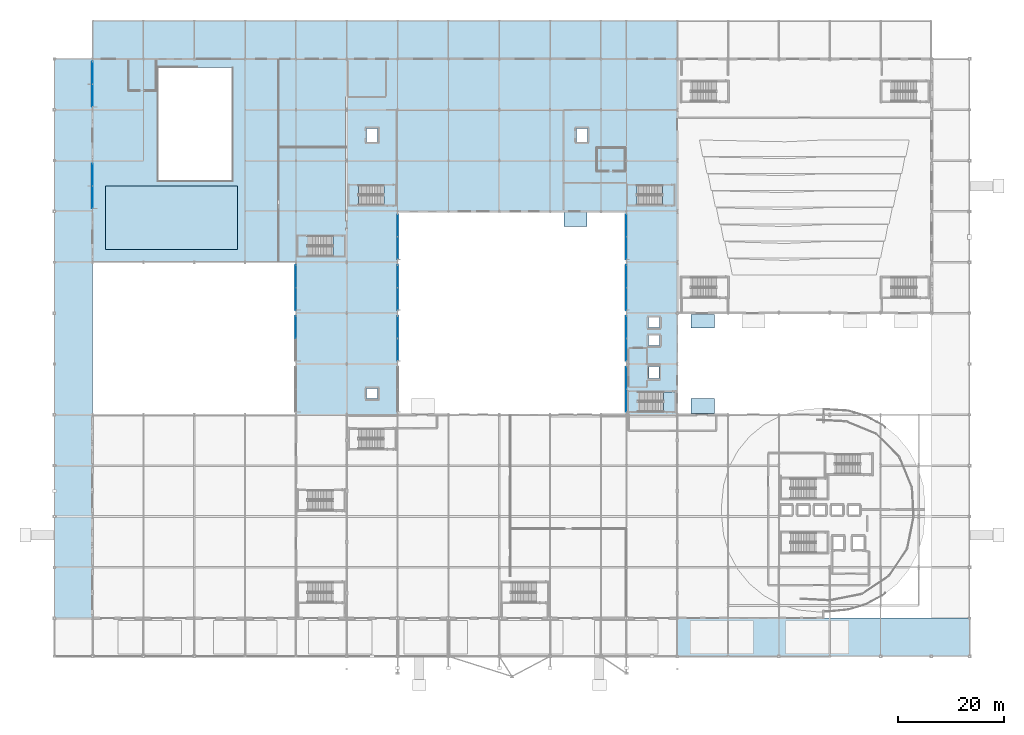
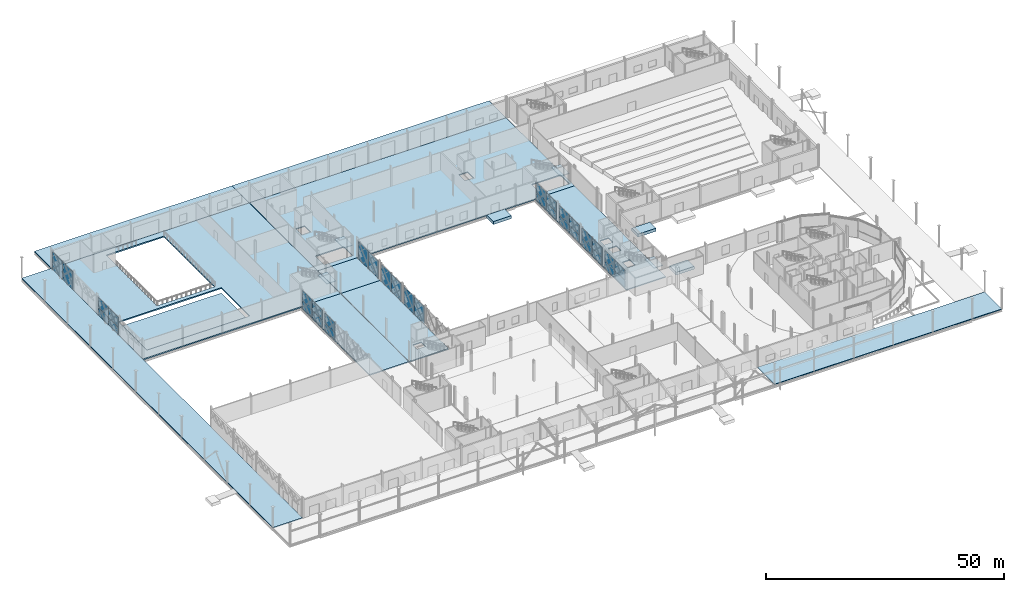
# One storey, part 46 of 84: 34 plates, 18 slabs, 15 elements without a shape of their own.
"""IFC4 building model written with IfcOpenShell, lengths in metres."""

from ifc_helpers import new_model, si_unit, direction, frame, origin, origin_2d, place, context, subcontext, project, spatial, polyline, rectangle, outline, extrude, material, layer, layer_set, type_object, element, aggregate, save


model = new_model("IFC4")

# Units and contexts
model_context = context("Model", 3, precision=1e-05, world=origin(), true_north=direction((0.0, 1.0)))
body_context = subcontext(model_context, "Body", "Model", "MODEL_VIEW")
ifc_project = project(units=[si_unit("LENGTHUNIT", "METRE"), si_unit("AREAUNIT", "SQUARE_METRE"), si_unit("VOLUMEUNIT", "CUBIC_METRE"), si_unit("PLANEANGLEUNIT", "RADIAN"), si_unit("MASSUNIT", "GRAM", prefix="KILO")], contexts=[model_context])

# Site, building, storey
site_placement = place(None, origin())
site = spatial("IfcSite", under=ifc_project, at=site_placement, CompositionType="ELEMENT")
building_placement = place(site_placement, origin())
building = spatial("IfcBuilding", under=site, at=building_placement, Name="Zevrakil Square Congress Hotel", CompositionType="ELEMENT")
storey_placement = place(building_placement, origin())
storey = spatial("IfcBuildingStorey", under=building, at=storey_placement, Name="L01", CompositionType="ELEMENT", Elevation=0.0)

# Curtain wall, plate
ifc_material_1 = material(Name="Aluminium Anodised Bronze", Category="aluminium")
ifc_layer_1 = layer(ifc_material_1, 0.179931640625)
ifc_layer_set_1 = layer_set([ifc_layer_1], Name="Aluminium Anodised Bronze")
curtain_wall_type = type_object("IfcCurtainWallType", Name="CW-L01-840", PredefinedType="USERDEFINED", material=ifc_layer_set_1)
curtain_wall_1_placement = place(storey_placement, origin())
curtain_wall_1 = element("IfcCurtainWall", 1, at=curtain_wall_1_placement, inside=storey, type_object=curtain_wall_type, Name="L01 diamond curtain wall CW-L01-0020", ObjectType="GLAZED CURTAIN WALL", PredefinedType="USERDEFINED")
ifc_material_2 = material(Name="Acoustic Laminated Low-E Glazing", Category="glass")
ifc_layer_2 = layer(ifc_material_2, 0.031982421875)
ifc_layer_set_2 = layer_set([ifc_layer_2], Name="Acoustic Laminated Low-E Glazing")
plate_type_1 = type_object("IfcPlateType", Name="CWP-GLAZ-32", PredefinedType="CURTAIN_PANEL", material=ifc_layer_set_2)
plate_1_placement = place(storey_placement, frame((7.199951171875, 86.675048828125, 1.97265625), z_axis=(0.0, 0.0, 1.0), x_axis=(0.0, 1.0, 0.0)))
plate_1 = element("IfcPlate", 2, at=plate_1_placement, type_object=plate_type_1, Name="CW-11 panel 1.2", PredefinedType="CURTAIN_PANEL", context=body_context, shape_type="SweptSolid", body=[
    extrude(rectangle(XDim=4.18994140625, YDim=0.028076171875, at=origin_2d()), origin(), (0.0, 0.0, 1.0), 2.592529296875),
])

curtain_wall_2_placement = place(storey_placement, origin())
curtain_wall_2 = element("IfcCurtainWall", 3, at=curtain_wall_2_placement, inside=storey, type_object=curtain_wall_type, Name="L01 diamond curtain wall CW-L01-0021", ObjectType="GLAZED CURTAIN WALL", PredefinedType="USERDEFINED")
plate_2_placement = place(storey_placement, frame((7.199951171875, 105.875, 0.06005859375), z_axis=(0.0, 0.0, 1.0), x_axis=(0.0, 1.0, 0.0)))
plate_2 = element("IfcPlate", 4, at=plate_2_placement, type_object=plate_type_1, Name="CW-11 panel 1.1", PredefinedType="CURTAIN_PANEL", context=body_context, shape_type="SweptSolid", body=[
    extrude(rectangle(XDim=4.18994140625, YDim=0.028076171875, at=origin_2d()), origin(), (0.0, 0.0, 1.0), 4.5048828125),
])

curtain_wall_3_placement = place(storey_placement, origin())
curtain_wall_3 = element("IfcCurtainWall", 5, at=curtain_wall_3_placement, inside=storey, type_object=curtain_wall_type, Name="L01 diamond curtain wall CW-L01-0024", ObjectType="GLAZED CURTAIN WALL", PredefinedType="USERDEFINED")
plate_3_placement = place(storey_placement, frame((45.60009765625, 62.125, 0.06005859375), z_axis=(0.0, 0.0, 1.0), x_axis=(0.0, 1.0, 0.0)))
plate_3 = element("IfcPlate", 6, at=plate_3_placement, type_object=plate_type_1, Name="CW-11 panel 2.1", PredefinedType="CURTAIN_PANEL", context=body_context, shape_type="SweptSolid", body=[
    extrude(rectangle(XDim=4.18994140625, YDim=0.028076171875, at=origin_2d()), origin(), (0.0, 0.0, 1.0), 1.8525390625),
])

# Curtain wall, plates
curtain_wall_4_placement = place(storey_placement, origin())
curtain_wall_4 = element("IfcCurtainWall", 7, at=curtain_wall_4_placement, inside=storey, type_object=curtain_wall_type, Name="L01 diamond curtain wall CW-L01-0026", ObjectType="GLAZED CURTAIN WALL", PredefinedType="USERDEFINED")
plate_4_placement = place(storey_placement, frame((45.60009765625, 67.47509765625, 0.06005859375), z_axis=(0.0, 0.0, 1.0), x_axis=(0.0, 1.0, 0.0)))
plate_4 = element("IfcPlate", 8, at=plate_4_placement, type_object=plate_type_1, Name="CW-11 panel 1.1", PredefinedType="CURTAIN_PANEL", context=body_context, shape_type="SweptSolid", body=[
    extrude(rectangle(XDim=4.18994140625, YDim=0.028076171875, at=origin_2d()), origin(), (0.0, 0.0, 1.0), 1.8525390625),
])
plate_5_placement = place(storey_placement, frame((45.60009765625, 71.72509765625, 1.97265625), z_axis=(0.0, 0.0, 1.0), x_axis=(0.0, 1.0, 0.0)))
plate_5 = element("IfcPlate", 9, at=plate_5_placement, type_object=plate_type_1, Name="CW-11 panel 2.2", PredefinedType="CURTAIN_PANEL", context=body_context, shape_type="SweptSolid", body=[
    extrude(rectangle(XDim=4.18994140625, YDim=0.028076171875, at=origin_2d()), origin(), (0.0, 0.0, 1.0), 2.592529296875),
])

# Curtain wall, plate
curtain_wall_5_placement = place(storey_placement, origin())
curtain_wall_5 = element("IfcCurtainWall", 10, at=curtain_wall_5_placement, inside=storey, type_object=curtain_wall_type, Name="L01 diamond curtain wall CW-L01-0122", ObjectType="GLAZED CURTAIN WALL", PredefinedType="USERDEFINED")
plate_6_placement = place(storey_placement, frame((108.0, 52.52490234375, 0.06005859375), z_axis=(0.0, 0.0, 1.0), x_axis=(0.0, 1.0, 0.0)))
plate_6 = element("IfcPlate", 11, at=plate_6_placement, type_object=plate_type_1, Name="CW-11 panel 2.1", PredefinedType="CURTAIN_PANEL", context=body_context, shape_type="SweptSolid", body=[
    extrude(rectangle(XDim=4.18994140625, YDim=0.028076171875, at=origin_2d()), origin(), (0.0, 0.0, 1.0), 1.8525390625),
])

curtain_wall_6_placement = place(storey_placement, origin())
curtain_wall_6 = element("IfcCurtainWall", 12, at=curtain_wall_6_placement, inside=storey, type_object=curtain_wall_type, Name="L01 diamond curtain wall CW-L01-0125", ObjectType="GLAZED CURTAIN WALL", PredefinedType="USERDEFINED")
plate_7_placement = place(storey_placement, frame((64.800048828125, 62.125, 0.06005859375), z_axis=(0.0, 0.0, 1.0), x_axis=(0.0, 1.0, 0.0)))
plate_7 = element("IfcPlate", 13, at=plate_7_placement, type_object=plate_type_1, Name="CW-11 panel 2.1", PredefinedType="CURTAIN_PANEL", context=body_context, shape_type="SweptSolid", body=[
    extrude(rectangle(XDim=4.18994140625, YDim=0.028076171875, at=origin_2d()), origin(), (0.0, 0.0, 1.0), 4.5048828125),
])

# Curtain wall, plates
curtain_wall_7_placement = place(storey_placement, origin())
curtain_wall_7 = element("IfcCurtainWall", 14, at=curtain_wall_7_placement, inside=storey, type_object=curtain_wall_type, Name="L01 diamond curtain wall CW-L01-0128", ObjectType="GLAZED CURTAIN WALL", PredefinedType="USERDEFINED")
plate_8_placement = place(storey_placement, frame((108.0, 57.875, 1.97265625), z_axis=(0.0, 0.0, 1.0), x_axis=(0.0, 1.0, 0.0)))
plate_8 = element("IfcPlate", 15, at=plate_8_placement, type_object=plate_type_1, Name="CW-11 panel 1.2", PredefinedType="CURTAIN_PANEL", context=body_context, shape_type="SweptSolid", body=[
    extrude(rectangle(XDim=4.18994140625, YDim=0.028076171875, at=origin_2d()), origin(), (0.0, 0.0, 1.0), 2.592529296875),
])
plate_9_placement = place(storey_placement, frame((108.0, 62.125, 1.97265625), z_axis=(0.0, 0.0, 1.0), x_axis=(0.0, 1.0, 0.0)))
plate_9 = element("IfcPlate", 16, at=plate_9_placement, type_object=plate_type_1, Name="CW-11 panel 2.2", PredefinedType="CURTAIN_PANEL", context=body_context, shape_type="SweptSolid", body=[
    extrude(rectangle(XDim=4.18994140625, YDim=0.028076171875, at=origin_2d()), origin(), (0.0, 0.0, 1.0), 2.592529296875),
])

# Curtain wall, plate
curtain_wall_8_placement = place(storey_placement, origin())
curtain_wall_8 = element("IfcCurtainWall", 17, at=curtain_wall_8_placement, inside=storey, type_object=curtain_wall_type, Name="L01 diamond curtain wall CW-L01-0131", ObjectType="GLAZED CURTAIN WALL", PredefinedType="USERDEFINED")
plate_10_placement = place(storey_placement, frame((64.800048828125, 67.47509765625, 0.06005859375), z_axis=(0.0, 0.0, 1.0), x_axis=(0.0, 1.0, 0.0)))
plate_10 = element("IfcPlate", 18, at=plate_10_placement, type_object=plate_type_1, Name="CW-11 panel 1.1", PredefinedType="CURTAIN_PANEL", context=body_context, shape_type="SweptSolid", body=[
    extrude(rectangle(XDim=4.18994140625, YDim=0.028076171875, at=origin_2d()), origin(), (0.0, 0.0, 1.0), 4.5048828125),
])

# Curtain wall, plates
curtain_wall_9_placement = place(storey_placement, origin())
curtain_wall_9 = element("IfcCurtainWall", 19, at=curtain_wall_9_placement, inside=storey, type_object=curtain_wall_type, Name="L01 diamond curtain wall CW-L01-0134", ObjectType="GLAZED CURTAIN WALL", PredefinedType="USERDEFINED")
plate_11_placement = place(storey_placement, frame((108.0, 67.47509765625, 0.06005859375), z_axis=(0.0, 0.0, 1.0), x_axis=(0.0, 1.0, 0.0)))
plate_11 = element("IfcPlate", 20, at=plate_11_placement, type_object=plate_type_1, Name="CW-11 panel 1.1", PredefinedType="CURTAIN_PANEL", context=body_context, shape_type="SweptSolid", body=[
    extrude(rectangle(XDim=4.18994140625, YDim=0.028076171875, at=origin_2d()), origin(), (0.0, 0.0, 1.0), 1.8525390625),
])
plate_12_placement = place(storey_placement, frame((108.0, 71.72509765625, 0.06005859375), z_axis=(0.0, 0.0, 1.0), x_axis=(0.0, 1.0, 0.0)))
plate_12 = element("IfcPlate", 21, at=plate_12_placement, type_object=plate_type_1, Name="CW-11 panel 2.1", PredefinedType="CURTAIN_PANEL", context=body_context, shape_type="SweptSolid", body=[
    extrude(rectangle(XDim=4.18994140625, YDim=0.028076171875, at=origin_2d()), origin(), (0.0, 0.0, 1.0), 1.8525390625),
])

# Curtain wall, plate
curtain_wall_10_placement = place(storey_placement, origin())
curtain_wall_10 = element("IfcCurtainWall", 22, at=curtain_wall_10_placement, inside=storey, type_object=curtain_wall_type, Name="L01 diamond curtain wall CW-L01-0140", ObjectType="GLAZED CURTAIN WALL", PredefinedType="USERDEFINED")
plate_13_placement = place(storey_placement, frame((108.0, 77.074951171875, 1.97265625), z_axis=(0.0, 0.0, 1.0), x_axis=(0.0, 1.0, 0.0)))
plate_13 = element("IfcPlate", 23, at=plate_13_placement, type_object=plate_type_1, Name="CW-11 panel 1.2", PredefinedType="CURTAIN_PANEL", context=body_context, shape_type="SweptSolid", body=[
    extrude(rectangle(XDim=4.18994140625, YDim=0.028076171875, at=origin_2d()), origin(), (0.0, 0.0, 1.0), 2.592529296875),
])

# Plate
ifc_material_3 = material(Name="Basalt Grey Ribbed GRC Panel", Category="masonry")
ifc_layer_3 = layer(ifc_material_3, 0.0439453125)
ifc_layer_set_3 = layer_set([ifc_layer_3], Name="Basalt Grey Ribbed GRC Panel")
plate_type_2 = type_object("IfcPlateType", Name="CWP-GRCG-44", PredefinedType="CURTAIN_PANEL", material=ifc_layer_set_3)
plate_14_placement = place(storey_placement, frame((7.199951171875, 90.925048828125, 1.97265625), z_axis=(0.0, 0.0, 1.0), x_axis=(0.0, 1.0, 0.0)))
plate_14 = element("IfcPlate", 24, at=plate_14_placement, type_object=plate_type_2, Name="CW-11 panel 2.2", PredefinedType="CURTAIN_PANEL", context=body_context, shape_type="SweptSolid", body=[
    extrude(rectangle(XDim=4.18994140625, YDim=0.028076171875, at=origin_2d()), origin(), (0.0, 0.0, 1.0), 2.592529296875),
])

plate_15_placement = place(storey_placement, frame((45.60009765625, 71.72509765625, 0.06005859375), z_axis=(0.0, 0.0, 1.0), x_axis=(0.0, 1.0, 0.0)))
plate_15 = element("IfcPlate", 25, at=plate_15_placement, type_object=plate_type_2, Name="CW-11 panel 2.1", PredefinedType="CURTAIN_PANEL", context=body_context, shape_type="SweptSolid", body=[
    extrude(rectangle(XDim=4.18994140625, YDim=0.028076171875, at=origin_2d()), origin(), (0.0, 0.0, 1.0), 1.8525390625),
])

plate_16_placement = place(storey_placement, frame((108.0, 48.27490234375, 1.97265625), z_axis=(0.0, 0.0, 1.0), x_axis=(0.0, 1.0, 0.0)))
plate_16 = element("IfcPlate", 26, at=plate_16_placement, type_object=plate_type_2, Name="CW-11 panel 1.2", PredefinedType="CURTAIN_PANEL", context=body_context, shape_type="SweptSolid", body=[
    extrude(rectangle(XDim=4.18994140625, YDim=0.028076171875, at=origin_2d()), origin(), (0.0, 0.0, 1.0), 2.592529296875),
])

plate_17_placement = place(storey_placement, frame((108.0, 57.875, 0.06005859375), z_axis=(0.0, 0.0, 1.0), x_axis=(0.0, 1.0, 0.0)))
plate_17 = element("IfcPlate", 27, at=plate_17_placement, type_object=plate_type_2, Name="CW-11 panel 1.1", PredefinedType="CURTAIN_PANEL", context=body_context, shape_type="SweptSolid", body=[
    extrude(rectangle(XDim=4.18994140625, YDim=0.028076171875, at=origin_2d()), origin(), (0.0, 0.0, 1.0), 1.8525390625),
])

# Curtain wall, plate
curtain_wall_11_placement = place(storey_placement, origin())
curtain_wall_11 = element("IfcCurtainWall", 28, at=curtain_wall_11_placement, inside=storey, type_object=curtain_wall_type, Name="L01 diamond curtain wall CW-L01-0137", ObjectType="GLAZED CURTAIN WALL", PredefinedType="USERDEFINED")
plate_18_placement = place(storey_placement, frame((64.800048828125, 81.324951171875, 0.06005859375), z_axis=(0.0, 0.0, 1.0), x_axis=(0.0, 1.0, 0.0)))
plate_18 = element("IfcPlate", 29, at=plate_18_placement, type_object=plate_type_2, Name="CW-11 panel 2.1", PredefinedType="CURTAIN_PANEL", context=body_context, shape_type="SweptSolid", body=[
    extrude(rectangle(XDim=4.18994140625, YDim=0.028076171875, at=origin_2d()), origin(), (0.0, 0.0, 1.0), 4.5048828125),
])

# Plate
plate_19_placement = place(storey_placement, frame((108.0, 81.324951171875, 1.97265625), z_axis=(0.0, 0.0, 1.0), x_axis=(0.0, 1.0, 0.0)))
plate_19 = element("IfcPlate", 30, at=plate_19_placement, type_object=plate_type_2, Name="CW-11 panel 2.2", PredefinedType="CURTAIN_PANEL", context=body_context, shape_type="SweptSolid", body=[
    extrude(rectangle(XDim=4.18994140625, YDim=0.028076171875, at=origin_2d()), origin(), (0.0, 0.0, 1.0), 2.592529296875),
])

ifc_material_4 = material(Name="White Ribbed Highland GRC Panel", Category="concrete")
ifc_layer_4 = layer(ifc_material_4, 0.0400390625)
ifc_layer_set_4 = layer_set([ifc_layer_4], Name="White Ribbed Highland GRC Panel")
plate_type_3 = type_object("IfcPlateType", Name="CWP-GRCW-40", PredefinedType="CURTAIN_PANEL", material=ifc_layer_set_4)
plate_20_placement = place(storey_placement, frame((7.199951171875, 86.675048828125, 0.06005859375), z_axis=(0.0, 0.0, 1.0), x_axis=(0.0, 1.0, 0.0)))
plate_20 = element("IfcPlate", 31, at=plate_20_placement, type_object=plate_type_3, Name="CW-11 panel 1.1", PredefinedType="CURTAIN_PANEL", context=body_context, shape_type="SweptSolid", body=[
    extrude(rectangle(XDim=4.18994140625, YDim=0.028076171875, at=origin_2d()), origin(), (0.0, 0.0, 1.0), 1.8525390625),
])

plate_21_placement = place(storey_placement, frame((7.199951171875, 90.925048828125, 0.06005859375), z_axis=(0.0, 0.0, 1.0), x_axis=(0.0, 1.0, 0.0)))
plate_21 = element("IfcPlate", 32, at=plate_21_placement, type_object=plate_type_3, Name="CW-11 panel 2.1", PredefinedType="CURTAIN_PANEL", context=body_context, shape_type="SweptSolid", body=[
    extrude(rectangle(XDim=4.18994140625, YDim=0.028076171875, at=origin_2d()), origin(), (0.0, 0.0, 1.0), 1.8525390625),
])

aggregate(curtain_wall_1, [plate_20, plate_1, plate_21, plate_14])

plate_22_placement = place(storey_placement, frame((7.199951171875, 110.125, 0.06005859375), z_axis=(0.0, 0.0, 1.0), x_axis=(0.0, 1.0, 0.0)))
plate_22 = element("IfcPlate", 33, at=plate_22_placement, type_object=plate_type_3, Name="CW-11 panel 2.1", PredefinedType="CURTAIN_PANEL", context=body_context, shape_type="SweptSolid", body=[
    extrude(rectangle(XDim=4.18994140625, YDim=0.028076171875, at=origin_2d()), origin(), (0.0, 0.0, 1.0), 4.5048828125),
])

aggregate(curtain_wall_2, [plate_2, plate_22])

plate_23_placement = place(storey_placement, frame((45.60009765625, 62.125, 1.97265625), z_axis=(0.0, 0.0, 1.0), x_axis=(0.0, 1.0, 0.0)))
plate_23 = element("IfcPlate", 34, at=plate_23_placement, type_object=plate_type_3, Name="CW-11 panel 2.2", PredefinedType="CURTAIN_PANEL", context=body_context, shape_type="SweptSolid", body=[
    extrude(rectangle(XDim=4.18994140625, YDim=0.028076171875, at=origin_2d()), origin(), (0.0, 0.0, 1.0), 2.592529296875),
])

aggregate(curtain_wall_3, [plate_3, plate_23])

plate_24_placement = place(storey_placement, frame((45.60009765625, 67.47509765625, 1.97265625), z_axis=(0.0, 0.0, 1.0), x_axis=(0.0, 1.0, 0.0)))
plate_24 = element("IfcPlate", 35, at=plate_24_placement, type_object=plate_type_3, Name="CW-11 panel 1.2", PredefinedType="CURTAIN_PANEL", context=body_context, shape_type="SweptSolid", body=[
    extrude(rectangle(XDim=4.18994140625, YDim=0.028076171875, at=origin_2d()), origin(), (0.0, 0.0, 1.0), 2.592529296875),
])

aggregate(curtain_wall_4, [plate_4, plate_24, plate_15, plate_5])

plate_25_placement = place(storey_placement, frame((108.0, 48.27490234375, 0.06005859375), z_axis=(0.0, 0.0, 1.0), x_axis=(0.0, 1.0, 0.0)))
plate_25 = element("IfcPlate", 36, at=plate_25_placement, type_object=plate_type_3, Name="CW-11 panel 1.1", PredefinedType="CURTAIN_PANEL", context=body_context, shape_type="SweptSolid", body=[
    extrude(rectangle(XDim=4.18994140625, YDim=0.028076171875, at=origin_2d()), origin(), (0.0, 0.0, 1.0), 1.8525390625),
])

plate_26_placement = place(storey_placement, frame((108.0, 52.52490234375, 1.97265625), z_axis=(0.0, 0.0, 1.0), x_axis=(0.0, 1.0, 0.0)))
plate_26 = element("IfcPlate", 37, at=plate_26_placement, type_object=plate_type_3, Name="CW-11 panel 2.2", PredefinedType="CURTAIN_PANEL", context=body_context, shape_type="SweptSolid", body=[
    extrude(rectangle(XDim=4.18994140625, YDim=0.028076171875, at=origin_2d()), origin(), (0.0, 0.0, 1.0), 2.592529296875),
])

aggregate(curtain_wall_5, [plate_25, plate_16, plate_6, plate_26])

plate_27_placement = place(storey_placement, frame((64.800048828125, 57.875, 0.06005859375), z_axis=(0.0, 0.0, 1.0), x_axis=(0.0, 1.0, 0.0)))
plate_27 = element("IfcPlate", 38, at=plate_27_placement, type_object=plate_type_3, Name="CW-11 panel 1.1", PredefinedType="CURTAIN_PANEL", context=body_context, shape_type="SweptSolid", body=[
    extrude(rectangle(XDim=4.18994140625, YDim=0.028076171875, at=origin_2d()), origin(), (0.0, 0.0, 1.0), 4.5048828125),
])

aggregate(curtain_wall_6, [plate_27, plate_7])

plate_28_placement = place(storey_placement, frame((108.0, 62.125, 0.06005859375), z_axis=(0.0, 0.0, 1.0), x_axis=(0.0, 1.0, 0.0)))
plate_28 = element("IfcPlate", 39, at=plate_28_placement, type_object=plate_type_3, Name="CW-11 panel 2.1", PredefinedType="CURTAIN_PANEL", context=body_context, shape_type="SweptSolid", body=[
    extrude(rectangle(XDim=4.18994140625, YDim=0.028076171875, at=origin_2d()), origin(), (0.0, 0.0, 1.0), 1.8525390625),
])

aggregate(curtain_wall_7, [plate_17, plate_8, plate_28, plate_9])

plate_29_placement = place(storey_placement, frame((64.800048828125, 71.72509765625, 0.06005859375), z_axis=(0.0, 0.0, 1.0), x_axis=(0.0, 1.0, 0.0)))
plate_29 = element("IfcPlate", 40, at=plate_29_placement, type_object=plate_type_3, Name="CW-11 panel 2.1", PredefinedType="CURTAIN_PANEL", context=body_context, shape_type="SweptSolid", body=[
    extrude(rectangle(XDim=4.18994140625, YDim=0.028076171875, at=origin_2d()), origin(), (0.0, 0.0, 1.0), 4.5048828125),
])

aggregate(curtain_wall_8, [plate_10, plate_29])

plate_30_placement = place(storey_placement, frame((108.0, 67.47509765625, 1.97265625), z_axis=(0.0, 0.0, 1.0), x_axis=(0.0, 1.0, 0.0)))
plate_30 = element("IfcPlate", 41, at=plate_30_placement, type_object=plate_type_3, Name="CW-11 panel 1.2", PredefinedType="CURTAIN_PANEL", context=body_context, shape_type="SweptSolid", body=[
    extrude(rectangle(XDim=4.18994140625, YDim=0.028076171875, at=origin_2d()), origin(), (0.0, 0.0, 1.0), 2.592529296875),
])

plate_31_placement = place(storey_placement, frame((108.0, 71.72509765625, 1.97265625), z_axis=(0.0, 0.0, 1.0), x_axis=(0.0, 1.0, 0.0)))
plate_31 = element("IfcPlate", 42, at=plate_31_placement, type_object=plate_type_3, Name="CW-11 panel 2.2", PredefinedType="CURTAIN_PANEL", context=body_context, shape_type="SweptSolid", body=[
    extrude(rectangle(XDim=4.18994140625, YDim=0.028076171875, at=origin_2d()), origin(), (0.0, 0.0, 1.0), 2.592529296875),
])

aggregate(curtain_wall_9, [plate_11, plate_30, plate_12, plate_31])

plate_32_placement = place(storey_placement, frame((64.800048828125, 77.074951171875, 0.06005859375), z_axis=(0.0, 0.0, 1.0), x_axis=(0.0, 1.0, 0.0)))
plate_32 = element("IfcPlate", 43, at=plate_32_placement, type_object=plate_type_3, Name="CW-11 panel 1.1", PredefinedType="CURTAIN_PANEL", context=body_context, shape_type="SweptSolid", body=[
    extrude(rectangle(XDim=4.18994140625, YDim=0.028076171875, at=origin_2d()), origin(), (0.0, 0.0, 1.0), 4.5048828125),
])

aggregate(curtain_wall_11, [plate_32, plate_18])

plate_33_placement = place(storey_placement, frame((108.0, 77.074951171875, 0.06005859375), z_axis=(0.0, 0.0, 1.0), x_axis=(0.0, 1.0, 0.0)))
plate_33 = element("IfcPlate", 44, at=plate_33_placement, type_object=plate_type_3, Name="CW-11 panel 1.1", PredefinedType="CURTAIN_PANEL", context=body_context, shape_type="SweptSolid", body=[
    extrude(rectangle(XDim=4.18994140625, YDim=0.028076171875, at=origin_2d()), origin(), (0.0, 0.0, 1.0), 1.8525390625),
])

plate_34_placement = place(storey_placement, frame((108.0, 81.324951171875, 0.06005859375), z_axis=(0.0, 0.0, 1.0), x_axis=(0.0, 1.0, 0.0)))
plate_34 = element("IfcPlate", 45, at=plate_34_placement, type_object=plate_type_3, Name="CW-11 panel 2.1", PredefinedType="CURTAIN_PANEL", context=body_context, shape_type="SweptSolid", body=[
    extrude(rectangle(XDim=4.18994140625, YDim=0.028076171875, at=origin_2d()), origin(), (0.0, 0.0, 1.0), 1.8525390625),
])

aggregate(curtain_wall_10, [plate_33, plate_13, plate_34, plate_19])

# Slabs
ifc_material_5 = material(Name="Concrete C35/45", Category="concrete")
ifc_layer_5 = layer(ifc_material_5, 0.75)
ifc_layer_set_5 = layer_set([ifc_layer_5], Name="Concrete C35/45")
slab_type_1 = type_object("IfcSlabType", Name="SLB-APRON-750", PredefinedType="BASESLAB", material=ifc_layer_set_5)
slab_1_placement = place(storey_placement, frame((0.0, 0.0, -0.75)))
element("IfcSlab", 46, at=slab_1_placement, inside=storey, type_object=slab_type_1, Name="L01 exterior exit landing apron EX-ST06", PredefinedType="BASESLAB", context=body_context, shape_type="SweptSolid", body=[
    extrude(outline(polyline([(96.199951171875, 81.14990234375), (100.60009765625, 81.14990234375), (100.60009765625, 83.949951171875), (96.199951171875, 83.949951171875), (96.199951171875, 81.14990234375)])), origin(), (0.0, 0.0, 1.0), 0.75),
])
slab_2_placement = place(storey_placement, frame((0.0, 0.0, -0.75)))
element("IfcSlab", 47, at=slab_2_placement, inside=storey, type_object=slab_type_1, Name="L01 exterior exit landing apron EX-ST07", PredefinedType="BASESLAB", context=body_context, shape_type="SweptSolid", body=[
    extrude(outline(polyline([(120.199951171875, 45.85009765625), (124.60009765625, 45.85009765625), (124.60009765625, 48.64990234375), (120.199951171875, 48.64990234375), (120.199951171875, 45.85009765625)])), origin(), (0.0, 0.0, 1.0), 0.75),
])
slab_3_placement = place(storey_placement, frame((0.0, 0.0, -0.75)))
element("IfcSlab", 48, at=slab_3_placement, inside=storey, type_object=slab_type_1, Name="L01 exterior exit landing apron EX-ST08", PredefinedType="BASESLAB", context=body_context, shape_type="SweptSolid", body=[
    extrude(outline(polyline([(120.199951171875, 61.949951171875), (124.60009765625, 61.949951171875), (124.60009765625, 64.550048828125), (120.199951171875, 64.550048828125), (120.199951171875, 61.949951171875)])), origin(), (0.0, 0.0, 1.0), 0.75),
])
ifc_material_6 = material(Name="Concrete C35/45", Category="concrete")
ifc_layer_6 = layer(ifc_material_6, 0.18994140625)
ifc_layer_set_6 = layer_set([ifc_layer_6], Name="Concrete C35/45")
slab_type_2 = type_object("IfcSlabType", Name="SLB-COL-190", PredefinedType="FLOOR", material=ifc_layer_set_6)
slab_4_placement = place(storey_placement, frame((0.0, 0.0, -0.18994140625)))
element("IfcSlab", 49, at=slab_4_placement, inside=storey, type_object=slab_type_2, Name="L01 exterior colonnade deck COL-S (E joint block)", PredefinedType="FLOOR", context=body_context, shape_type="SweptSolid", body=[
    extrude(outline(polyline([(172.800048828125, 7.199951171875), (172.800048828125, 0.0), (117.625, 0.0), (117.625, 7.199951171875), (172.800048828125, 7.199951171875)])), origin(), (0.0, 0.0, 1.0), 0.18994140625),
])
slab_5_placement = place(storey_placement, frame((0.0, 0.0, -0.18994140625)))
element("IfcSlab", 50, at=slab_5_placement, inside=storey, type_object=slab_type_2, Name="L01 exterior colonnade deck COL-W", PredefinedType="FLOOR", context=body_context, shape_type="SweptSolid", body=[
    extrude(outline(polyline([(0.0, 112.800048828125), (7.199951171875, 112.800048828125), (7.199951171875, 7.199951171875), (0.0, 7.199951171875), (0.0, 112.800048828125)])), origin(), (0.0, 0.0, 1.0), 0.18994140625),
])
slab_6_placement = place(storey_placement, frame((0.0, 0.0, -0.18994140625)))
element("IfcSlab", 51, at=slab_6_placement, inside=storey, type_object=slab_type_2, Name="L01 exterior colonnade deck APRON-N (W joint block)", PredefinedType="FLOOR", context=body_context, shape_type="SweptSolid", body=[
    extrude(outline(polyline([(7.199951171875, 112.800048828125), (7.199951171875, 120.0), (55.175048828125, 120.0), (55.175048828125, 112.800048828125), (7.199951171875, 112.800048828125)])), origin(), (0.0, 0.0, 1.0), 0.18994140625),
])
slab_7_placement = place(storey_placement, frame((0.0, 0.0, -0.18994140625)))
element("IfcSlab", 52, at=slab_7_placement, inside=storey, type_object=slab_type_2, Name="L01 exterior colonnade deck APRON-N (M joint block)", PredefinedType="FLOOR", context=body_context, shape_type="SweptSolid", body=[
    extrude(outline(polyline([(55.22509765625, 112.800048828125), (55.22509765625, 120.0), (117.574951171875, 120.0), (117.574951171875, 112.800048828125), (55.22509765625, 112.800048828125)])), origin(), (0.0, 0.0, 1.0), 0.18994140625),
])
ifc_material_7 = material(Name="Concrete C35/45", Category="concrete")
ifc_layer_7 = layer(ifc_material_7, 0.264892578125)
ifc_layer_set_7 = layer_set([ifc_layer_7], Name="Concrete C35/45")
slab_type_3 = type_object("IfcSlabType", Name="SLB-L01-220", PredefinedType="FLOOR", material=ifc_layer_set_7)
slab_8_placement = place(storey_placement, frame((0.0, 0.0, -0.264892578125)))
element("IfcSlab", 53, at=slab_8_placement, inside=storey, type_object=slab_type_3, Name="L01 wlink structural floor slab (W joint block)", PredefinedType="FLOOR", context=body_context, shape_type="SweptSolid", body=[
    extrude(outline(polyline([(45.60009765625, 45.60009765625), (45.60009765625, 74.39990234375), (55.175048828125, 74.39990234375), (55.175048828125, 45.60009765625), (45.60009765625, 45.60009765625)])), origin(), (0.0, 0.0, 1.0), 0.264892578125),
])
slab_9_placement = place(storey_placement, frame((0.0, 0.0, -0.264892578125)))
element("IfcSlab", 54, at=slab_9_placement, inside=storey, type_object=slab_type_3, Name="L01 wlink structural floor slab (M joint block)", PredefinedType="FLOOR", context=body_context, shape_type="SweptSolid", body=[
    extrude(outline(polyline([(64.800048828125, 74.39990234375), (64.800048828125, 45.60009765625), (55.22509765625, 45.60009765625), (55.22509765625, 74.39990234375), (64.800048828125, 74.39990234375)]), holes=[polyline([(58.9599609375, 48.659912109375), (61.0400390625, 48.659912109375), (61.0400390625, 50.5400390625), (58.9599609375, 50.5400390625), (58.9599609375, 48.659912109375)])]), origin(), (0.0, 0.0, 1.0), 0.264892578125),
])
slab_10_placement = place(storey_placement, frame((0.0, 0.0, -0.264892578125)))
element("IfcSlab", 55, at=slab_10_placement, inside=storey, type_object=slab_type_3, Name="L01 nwcort structural floor slab", PredefinedType="FLOOR", context=body_context, shape_type="SweptSolid", body=[
    extrude(outline(polyline([(64.800048828125, 84.0), (64.800048828125, 74.39990234375), (55.22509765625, 74.39990234375), (55.22509765625, 84.0), (64.800048828125, 84.0)])), origin(), (0.0, 0.0, 1.0), 0.264892578125),
])
slab_11_placement = place(storey_placement, frame((0.0, 0.0, -0.264892578125)))
element("IfcSlab", 56, at=slab_11_placement, inside=storey, type_object=slab_type_3, Name="L01 north structural floor slab", PredefinedType="FLOOR", context=body_context, shape_type="SweptSolid", body=[
    extrude(outline(polyline([(55.22509765625, 84.0), (55.22509765625, 112.800048828125), (117.574951171875, 112.800048828125), (117.574951171875, 84.0), (55.22509765625, 84.0)]), holes=[polyline([(57.445068359375, 85.199951171875), (64.39990234375, 85.199951171875), (64.39990234375, 88.949951171875), (57.445068359375, 88.949951171875), (57.445068359375, 85.199951171875)]), polyline([(110.044921875, 85.199951171875), (117.0, 85.199951171875), (117.0, 88.949951171875), (110.044921875, 88.949951171875), (110.044921875, 85.199951171875)]), polyline([(58.9599609375, 97.159912109375), (61.0400390625, 97.159912109375), (61.0400390625, 99.639892578125), (58.9599609375, 99.639892578125), (58.9599609375, 97.159912109375)]), polyline([(98.56005859375, 97.159912109375), (100.639892578125, 97.159912109375), (100.639892578125, 99.639892578125), (98.56005859375, 99.639892578125), (98.56005859375, 97.159912109375)])]), origin(), (0.0, 0.0, 1.0), 0.264892578125),
])
slab_12_placement = place(storey_placement, frame((0.0, 0.0, -0.264892578125)))
element("IfcSlab", 57, at=slab_12_placement, inside=storey, type_object=slab_type_3, Name="L01 espine structural floor slab", PredefinedType="FLOOR", context=body_context, shape_type="SweptSolid", body=[
    extrude(outline(polyline([(108.0, 45.60009765625), (108.0, 84.0), (117.574951171875, 84.0), (117.574951171875, 45.60009765625), (108.0, 45.60009765625)]), holes=[polyline([(112.260009765625, 52.4599609375), (114.139892578125, 52.4599609375), (114.139892578125, 54.739990234375), (112.260009765625, 54.739990234375), (112.260009765625, 52.4599609375)]), polyline([(112.159912109375, 58.659912109375), (114.239990234375, 58.659912109375), (114.239990234375, 60.5400390625), (112.159912109375, 60.5400390625), (112.159912109375, 58.659912109375)]), polyline([(112.159912109375, 62.06005859375), (114.239990234375, 62.06005859375), (114.239990234375, 63.93994140625), (112.159912109375, 63.93994140625), (112.159912109375, 62.06005859375)])]), origin(), (0.0, 0.0, 1.0), 0.264892578125),
])
ifc_material_8 = material(Name="Concrete C40/50", Category="concrete")
ifc_layer_8 = layer(ifc_material_8, 0.320068359375)
ifc_layer_set_8 = layer_set([ifc_layer_8], Name="Concrete C40/50")
slab_type_4 = type_object("IfcSlabType", Name="SLB-POOL-320", PredefinedType="FLOOR", material=ifc_layer_set_8)
slab_13_placement = place(storey_placement, frame((0.0, 0.0, -1.719970703125)))
element("IfcSlab", 58, at=slab_13_placement, inside=storey, type_object=slab_type_4, Name="L01 indoor thermal lap pool basin slab", PredefinedType="FLOOR", context=body_context, shape_type="SweptSolid", body=[
    extrude(outline(polyline([(9.60009765625, 76.800048828125), (34.60009765625, 76.800048828125), (34.60009765625, 88.800048828125), (9.60009765625, 88.800048828125), (9.60009765625, 76.800048828125)])), origin(), (0.0, 0.0, 1.0), 0.320068359375),
])
slab_14_placement = place(storey_placement, frame((0.0, 0.0, -0.320068359375)))
element("IfcSlab", 59, at=slab_14_placement, inside=storey, type_object=slab_type_4, Name="L01 spa structural floor slab", PredefinedType="FLOOR", context=body_context, shape_type="SweptSolid", body=[
    extrude(outline(polyline([(7.199951171875, 74.39990234375), (7.199951171875, 112.800048828125), (55.175048828125, 112.800048828125), (55.175048828125, 74.39990234375), (7.199951171875, 74.39990234375)]), holes=[polyline([(19.60009765625, 89.800048828125), (33.60009765625, 89.800048828125), (33.60009765625, 111.199951171875), (19.60009765625, 111.199951171875), (19.60009765625, 89.800048828125)]), polyline([(9.60009765625, 76.800048828125), (34.60009765625, 76.800048828125), (34.60009765625, 88.800048828125), (9.60009765625, 88.800048828125), (9.60009765625, 76.800048828125)])]), origin(), (0.0, 0.0, 1.0), 0.320068359375),
])

# Stair, slab
ifc_material_9 = material(Name="Concrete C35/45", Category="concrete")
stair_type = type_object("IfcStairType", Name="STR-DOGLEG-180", PredefinedType="HALF_TURN_STAIR", material=ifc_material_9)
stair_1_placement = place(storey_placement, origin())
stair_1 = element("IfcStair", 60, at=stair_1_placement, inside=storey, type_object=stair_type, Name="L01 Protected exit stair ST05", PredefinedType="HALF_TURN_STAIR")
ifc_material_10 = material(Name="Concrete C35/45", Category="concrete")
ifc_layer_9 = layer(ifc_material_10, 0.199951171875)
ifc_layer_set_9 = layer_set([ifc_layer_9], Name="Concrete C35/45")
slab_type_5 = type_object("IfcSlabType", Name="SLB-STAIR-LAND-200", PredefinedType="LANDING", material=ifc_layer_set_9)
slab_15_placement = place(storey_placement, frame((0.0, 0.0, 2.5)))
slab_15 = element("IfcSlab", 61, at=slab_15_placement, type_object=slab_type_5, Name="ST05 landing 1", PredefinedType="LANDING", context=body_context, shape_type="SweptSolid", body=[
    extrude(outline(polyline([(62.199951171875, 85.199951171875), (64.39990234375, 85.199951171875), (64.39990234375, 88.949951171875), (62.199951171875, 88.949951171875), (62.199951171875, 85.199951171875)])), origin(), (0.0, 0.0, 1.0), 0.199951171875),
])
aggregate(stair_1, [slab_15])

stair_2_placement = place(storey_placement, origin())
stair_2 = element("IfcStair", 62, at=stair_2_placement, inside=storey, type_object=stair_type, Name="L01 Protected exit stair ST06", PredefinedType="HALF_TURN_STAIR")
slab_16_placement = place(storey_placement, frame((0.0, 0.0, 2.5)))
slab_16 = element("IfcSlab", 63, at=slab_16_placement, type_object=slab_type_5, Name="ST06 landing 1", PredefinedType="LANDING", context=body_context, shape_type="SweptSolid", body=[
    extrude(outline(polyline([(114.800048828125, 85.199951171875), (117.0, 85.199951171875), (117.0, 88.949951171875), (114.800048828125, 88.949951171875), (114.800048828125, 85.199951171875)])), origin(), (0.0, 0.0, 1.0), 0.199951171875),
])
aggregate(stair_2, [slab_16])

stair_3_placement = place(storey_placement, origin())
stair_3 = element("IfcStair", 64, at=stair_3_placement, inside=storey, type_object=stair_type, Name="L01 Protected exit stair ST07", PredefinedType="HALF_TURN_STAIR")
slab_17_placement = place(storey_placement, frame((0.0, 0.0, 2.5)))
slab_17 = element("IfcSlab", 65, at=slab_17_placement, type_object=slab_type_5, Name="ST07 landing 1", PredefinedType="LANDING", context=body_context, shape_type="SweptSolid", body=[
    extrude(outline(polyline([(115.0, 46.199951171875), (117.199951171875, 46.199951171875), (117.199951171875, 49.949951171875), (115.0, 49.949951171875), (115.0, 46.199951171875)])), origin(), (0.0, 0.0, 1.0), 0.199951171875),
])
aggregate(stair_3, [slab_17])

stair_4_placement = place(storey_placement, origin())
stair_4 = element("IfcStair", 66, at=stair_4_placement, inside=storey, type_object=stair_type, Name="L01 Protected exit stair ST14", PredefinedType="HALF_TURN_STAIR")
slab_18_placement = place(storey_placement, frame((0.0, 0.0, 2.5)))
slab_18 = element("IfcSlab", 67, at=slab_18_placement, type_object=slab_type_5, Name="ST14 landing 1", PredefinedType="LANDING", context=body_context, shape_type="SweptSolid", body=[
    extrude(outline(polyline([(52.60009765625, 75.60009765625), (54.800048828125, 75.60009765625), (54.800048828125, 79.35009765625), (52.60009765625, 79.35009765625), (52.60009765625, 75.60009765625)])), origin(), (0.0, 0.0, 1.0), 0.199951171875),
])
aggregate(stair_4, [slab_18])

save(model, "model.ifc")
